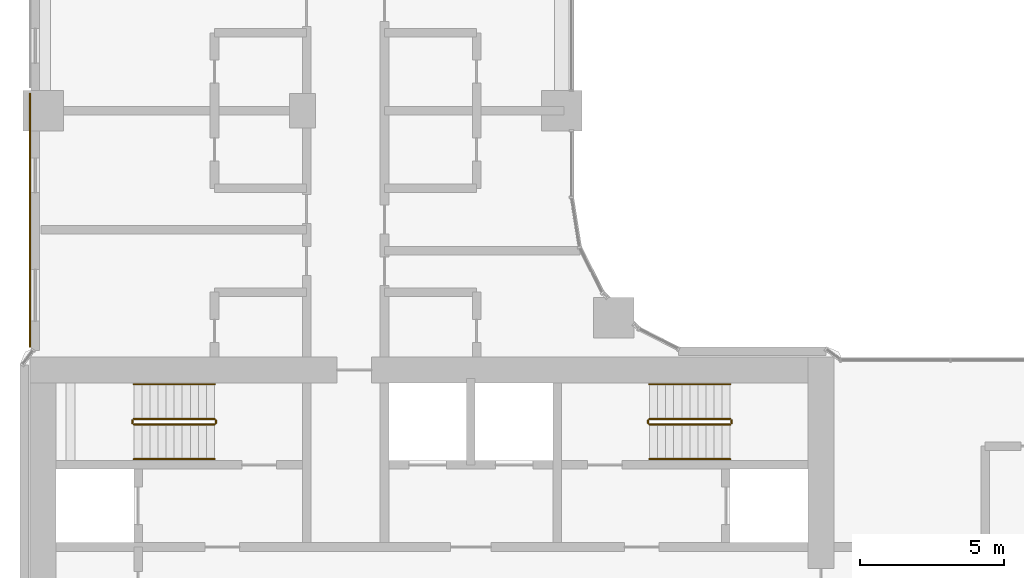
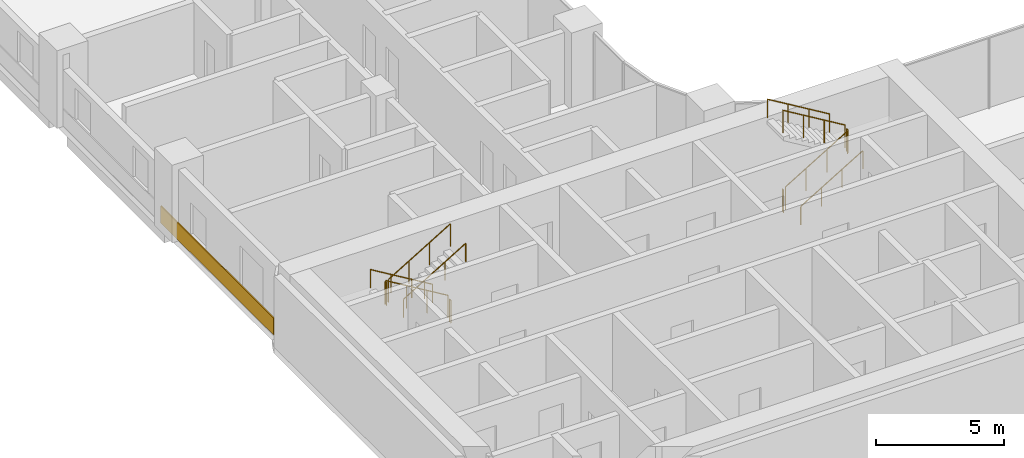
# One storey, part 27 of 31: 12 railings, 1 covering.
"""IFC4 building model written with IfcOpenShell, lengths in metres."""

import ifcopenshell
import ifcopenshell.guid

model = None  # the IFC model being written
_history = None  # IfcOwnerHistory: only IFC2X3 demands one
_inside = {}  # id of a spatial element -> (the spatial element, [elements in it])
_under = {}  # id of a project, library or spatial element -> (it, [spatial elements below it])
_declared = {}  # id of a project -> (the project, [libraries it declares])
_typed = {}  # id of a type object -> (the type object, [elements of that type])
_made_of = {}  # id of a material, layer set ... -> (it, [elements and type objects made of it])


def new_model(schema):
    """Start an empty IFC model of exactly this schema.

    Asked for "IFC4X3", IfcOpenShell would pick the latest addendum, in which some entities
    have other attributes; the version numbers below select the first issue.
    IFC2X3 requires an IfcOwnerHistory on every rooted entity: one is made here for all.
    """
    global model, _history
    if schema == "IFC4X3":
        model = ifcopenshell.file(schema_version=(4, 3, 0, 0))
    else:
        model = ifcopenshell.file(schema=schema)
    _inside.clear()
    _under.clear()
    _declared.clear()
    _typed.clear()
    _made_of.clear()
    _history = None
    if model.schema == "IFC2X3":
        org = make("IfcOrganization", Name="unknown")
        user = make(
            "IfcPersonAndOrganization",
            ThePerson=make("IfcPerson", FamilyName="unknown"),
            TheOrganization=org,
        )
        app = make(
            "IfcApplication",
            ApplicationDeveloper=org,
            Version="unknown",
            ApplicationFullName="unknown",
            ApplicationIdentifier="unknown",
        )
        _history = make(
            "IfcOwnerHistory",
            OwningUser=user,
            OwningApplication=app,
            ChangeAction="ADDED",
            CreationDate=0,
        )
    return model


def make(cls, **values):
    """One entity of the class cls with the attributes given. An attribute that is None is left unset."""
    return model.create_entity(
        cls, **{name: value for name, value in values.items() if value is not None}
    )


def rooted(cls, **values):
    """An entity with a GlobalId (a new one), such as an element, a storey or a relation."""
    return make(cls, GlobalId=ifcopenshell.guid.new(), OwnerHistory=_history, **values)


def si_unit(unit_type, name, prefix=None):
    """IfcSIUnit, for example si_unit("LENGTHUNIT", "METRE", prefix="MILLI")."""
    return make("IfcSIUnit", UnitType=unit_type, Prefix=prefix, Name=name)


def assignment(units):
    """IfcUnitAssignment: the units of a project."""
    return None if units is None else make("IfcUnitAssignment", Units=units)


def point(xyz):
    """IfcCartesianPoint."""
    return None if xyz is None else make("IfcCartesianPoint", Coordinates=xyz)


def direction(xyz):
    """IfcDirection."""
    return None if xyz is None else make("IfcDirection", DirectionRatios=xyz)


def frame(location, z_axis=None, x_axis=None):
    """IfcAxis2Placement3D, a coordinate frame: its origin and axes. An axis left out is left unset."""
    return make(
        "IfcAxis2Placement3D",
        Location=point(location),
        Axis=direction(z_axis),
        RefDirection=direction(x_axis),
    )


def frame_2d(location, x_axis=None):
    """IfcAxis2Placement2D, a coordinate frame in the plane: its origin and x axis."""
    return make(
        "IfcAxis2Placement2D", Location=point(location), RefDirection=direction(x_axis)
    )


def origin():
    """The frame at (0, 0, 0) with its axes left unset."""
    return frame((0.0, 0.0, 0.0))


def origin_2d():
    """The frame at (0, 0) in the plane with its x axis left unset."""
    return frame_2d((0.0, 0.0))


def place(relative_to, where):
    """IfcLocalPlacement: puts the frame where relative to a parent placement (None: the world)."""
    return make(
        "IfcLocalPlacement", PlacementRelTo=relative_to, RelativePlacement=where
    )


def context(
    kind, dimensions, precision=None, world=None, true_north=None, identifier=None
):
    """IfcGeometricRepresentationContext, for example the 3D "Model" context."""
    return make(
        "IfcGeometricRepresentationContext",
        ContextIdentifier=identifier,
        ContextType=kind,
        CoordinateSpaceDimension=dimensions,
        Precision=precision,
        WorldCoordinateSystem=world,
        TrueNorth=true_north,
    )


def subcontext(parent, identifier, kind, view, scale=None):
    """IfcGeometricRepresentationSubContext, for example "Body" below "Model"."""
    return make(
        "IfcGeometricRepresentationSubContext",
        ContextIdentifier=identifier,
        ContextType=kind,
        ParentContext=parent,
        TargetScale=scale,
        TargetView=view,
    )


def project(units=None, contexts=None):
    """IfcProject with its units and contexts."""
    return rooted(
        "IfcProject",
        Name="project",
        RepresentationContexts=contexts,
        UnitsInContext=assignment(units),
    )


def spatial(cls, under=None, at=None, **own):
    """A site, building, storey or space (cls), placed at a placement, below another one or the project."""
    s = rooted(cls, ObjectPlacement=at, **own)
    if under is not None:
        _under.setdefault(under.id(), (under, []))[1].append(s)
    return s


def profile(cls, at=None, kind="AREA", **sizes):
    """A parametric profile (cls). Its sizes go by their IFC names, for example OverallWidth=200.0."""
    return make(cls, ProfileType=kind, Position=at, **sizes)


def rectangle(**sizes):
    """IfcRectangleProfileDef."""
    return profile("IfcRectangleProfileDef", **sizes)


def circle(**sizes):
    """IfcCircleProfileDef."""
    return profile("IfcCircleProfileDef", **sizes)


def extrude(swept, where, along, depth):
    """IfcExtrudedAreaSolid: the profile swept, set in the frame where, extruded along a direction by depth."""
    return make(
        "IfcExtrudedAreaSolid",
        SweptArea=swept,
        Position=where,
        ExtrudedDirection=direction(along),
        Depth=depth,
    )


def shape(context_of_items, identifier, shape_type, items):
    """IfcShapeRepresentation: the items that make up one representation, for example the "Body"."""
    return make(
        "IfcShapeRepresentation",
        ContextOfItems=context_of_items,
        RepresentationIdentifier=identifier,
        RepresentationType=shape_type,
        Items=items,
    )


def material(Name=None, Category=None):
    """IfcMaterial."""
    return make("IfcMaterial", Name=Name, Category=Category)


def layer(
    of_material, thickness, ventilated=None, Name=None, Category=None, Priority=None
):
    """IfcMaterialLayer: one layer of a wall or slab, of a material (None: an air gap)."""
    return make(
        "IfcMaterialLayer",
        Material=of_material,
        LayerThickness=thickness,
        IsVentilated=ventilated,
        Name=Name,
        Category=Category,
        Priority=Priority,
    )


def layer_set(layers, Name=None):
    """IfcMaterialLayerSet."""
    return make("IfcMaterialLayerSet", MaterialLayers=layers, LayerSetName=Name)


def made_of(thing, what):
    """Note that an element or type object is made of a material, layer set ...; save() writes the relation."""
    if what is not None:
        _made_of.setdefault(what.id(), (what, []))[1].append(thing)
    return thing


def type_object(cls, material=None, **own):
    """A type object (cls), such as IfcWallType, which elements share."""
    return made_of(rooted(cls, **own), material)


def element(
    cls,
    number,
    at=None,
    inside=None,
    cuts=None,
    type_object=None,
    material=None,
    context=None,
    identifier="Body",
    shape_type=None,
    held_by="IfcProductDefinitionShape",
    body=None,
    shapes=None,
    **own,
):
    """One element of the class cls, such as IfcWall. Its Tag is "e" and its number.

    at: its placement. inside: the storey or other place that contains it. cuts: it is an
    opening in that element (IfcRelVoidsElement). A single representation is given by context,
    identifier, shape_type and body (its items); several are given by shapes. held_by: the class
    of the entity that holds the representations. save() writes the other relations.
    """
    e = rooted(cls, Tag="e%d" % number, ObjectPlacement=at, **own)
    if body is not None:
        shapes = [shape(context, identifier, shape_type, body)]
    if shapes is not None:
        e.Representation = make(held_by, Representations=shapes)
    if inside is not None:
        _inside.setdefault(inside.id(), (inside, []))[1].append(e)
    if cuts is not None:
        rooted(
            "IfcRelVoidsElement", RelatingBuildingElement=cuts, RelatedOpeningElement=e
        )
    if type_object is not None:
        _typed.setdefault(type_object.id(), (type_object, []))[1].append(e)
    return made_of(e, material)


def aggregate(whole, parts):
    """IfcRelAggregates: a whole, such as a stair, and the parts it consists of."""
    return rooted("IfcRelAggregates", RelatingObject=whole, RelatedObjects=parts)


def save(model, path):
    """Write the relations noted so far, then the file.

    IfcRelAggregates (storeys below a building ...), IfcRelContainedInSpatialStructure (elements
    in a storey), IfcRelDefinesByType, IfcRelAssociatesMaterial and IfcRelDeclares: one each for
    every whole, place, type object, material and project.
    """
    for whole, parts in _under.values():
        aggregate(whole, parts)
    for where, things in _inside.values():
        rooted(
            "IfcRelContainedInSpatialStructure",
            RelatedElements=things,
            RelatingStructure=where,
        )
    for kind, things in _typed.values():
        rooted("IfcRelDefinesByType", RelatedObjects=things, RelatingType=kind)
    for what, things in _made_of.values():
        rooted("IfcRelAssociatesMaterial", RelatedObjects=things, RelatingMaterial=what)
    for by, libraries in _declared.values():
        rooted("IfcRelDeclares", RelatingContext=by, RelatedDefinitions=libraries)
    model.write(path)


model = new_model("IFC4")

# Units and contexts
model_context = context("Model", 3, precision=1e-05, world=origin(), true_north=direction((0.0, 1.0)))
body_context = subcontext(model_context, "Body", "Model", "MODEL_VIEW")
ifc_project = project(units=[si_unit("LENGTHUNIT", "METRE"), si_unit("AREAUNIT", "SQUARE_METRE"), si_unit("VOLUMEUNIT", "CUBIC_METRE"), si_unit("PLANEANGLEUNIT", "RADIAN"), si_unit("MASSUNIT", "GRAM", prefix="KILO")], contexts=[model_context])

# Site, building, storey
site_placement = place(None, origin())
site = spatial("IfcSite", under=ifc_project, at=site_placement, CompositionType="ELEMENT")
building_placement = place(site_placement, origin())
building = spatial("IfcBuilding", under=site, at=building_placement, Name="Ogive Portal Towers", CompositionType="ELEMENT")
storey_placement = place(building_placement, frame((0.0, 0.0, 40.89990234375)))
storey = spatial("IfcBuildingStorey", under=building, at=storey_placement, Name="L08", CompositionType="ELEMENT", Elevation=40.89990234375)

# Railings
ifc_material_1 = material(Name="Stainless steel balustrade", Category="steel")
railing_type_1 = type_object("IfcRailingType", Name="INT-GUARD", PredefinedType="GUARDRAIL", material=ifc_material_1)
railing_1_placement = place(storey_placement, frame((37.449951171875, 37.800048828125, 0.168212890625)))
element("IfcRailing", 1, at=railing_1_placement, inside=storey, type_object=railing_type_1, Name="L08 ST-A1 stair guard 1", PredefinedType="GUARDRAIL", context=body_context, shape_type="SweptSolid", body=[
    extrude(circle(Radius=0.02392578125, at=origin_2d()), frame((0.0, 0.0, 1.076171875), z_axis=(-0.857242210791, 0.0, 0.514913383045), x_axis=(0.0, -1.0, 0.0)), (0.0, 0.0, 1.0), 3.266357421875),
    extrude(circle(Radius=0.02099609375, at=origin_2d()), origin(), (0.0, 0.0, 1.0), 1.052001953125),
    extrude(circle(Radius=0.02099609375, at=origin_2d()), frame((-0.933349609375, 0.0, 0.560546875)), (0.0, 0.0, 1.0), 1.052001953125),
    extrude(circle(Radius=0.02099609375, at=origin_2d()), frame((-1.86669921875, 0.0, 1.121337890625)), (0.0, 0.0, 1.0), 1.052001953125),
    extrude(circle(Radius=0.02099609375, at=origin_2d()), frame((-2.800048828125, 0.0, 1.681884765625)), (0.0, 0.0, 1.0), 1.052001953125),
])
railing_2_placement = place(storey_placement, frame((34.60009765625, 37.75, 1.85009765625)))
element("IfcRailing", 2, at=railing_2_placement, inside=storey, type_object=railing_type_1, Name="L08 ST-A1 stair guard 2", PredefinedType="GUARDRAIL", context=body_context, shape_type="SweptSolid", body=[
    extrude(circle(Radius=0.02392578125, at=origin_2d()), frame((0.0, 0.0, 1.076171875), z_axis=(0.0, -1.0, 0.0), x_axis=(1.0, 0.0, 0.0)), (0.0, 0.0, 1.0), 0.10009765625),
    extrude(circle(Radius=0.02099609375, at=origin_2d()), origin(), (0.0, 0.0, 1.0), 1.052001953125),
    extrude(circle(Radius=0.02099609375, at=origin_2d()), frame((0.0, -0.10009765625, 0.0)), (0.0, 0.0, 1.0), 1.052001953125),
])
railing_3_placement = place(storey_placement, frame((34.64990234375, 37.60009765625, 2.018310546875)))
element("IfcRailing", 3, at=railing_3_placement, inside=storey, type_object=railing_type_1, Name="L08 ST-A1 stair guard 3", PredefinedType="GUARDRAIL", context=body_context, shape_type="SweptSolid", body=[
    extrude(circle(Radius=0.02392578125, at=origin_2d()), frame((0.0, 0.0, 1.076171875), z_axis=(0.857242210791, 0.0, 0.514913383045), x_axis=(0.0, 1.0, 0.0)), (0.0, 0.0, 1.0), 3.266357421875),
    extrude(circle(Radius=0.02099609375, at=origin_2d()), origin(), (0.0, 0.0, 1.0), 1.052001953125),
    extrude(circle(Radius=0.02099609375, at=origin_2d()), frame((0.933349609375, 0.0, 0.560546875)), (0.0, 0.0, 1.0), 1.052001953125),
    extrude(circle(Radius=0.02099609375, at=origin_2d()), frame((1.86669921875, 0.0, 1.121337890625)), (0.0, 0.0, 1.0), 1.052001953125),
    extrude(circle(Radius=0.02099609375, at=origin_2d()), frame((2.800048828125, 0.0, 1.681884765625)), (0.0, 0.0, 1.0), 1.052001953125),
])
railing_4_placement = place(storey_placement, frame((37.5, 37.75, 0.0)))
element("IfcRailing", 4, at=railing_4_placement, inside=storey, type_object=railing_type_1, Name="L08 ST-A1 stair guard 4", PredefinedType="GUARDRAIL", context=body_context, shape_type="SweptSolid", body=[
    extrude(circle(Radius=0.02392578125, at=origin_2d()), frame((0.0, 0.0, 1.076171875), z_axis=(0.0, -1.0, 0.0), x_axis=(1.0, 0.0, 0.0)), (0.0, 0.0, 1.0), 0.10009765625),
    extrude(circle(Radius=0.02099609375, at=origin_2d()), origin(), (0.0, 0.0, 1.0), 1.052001953125),
    extrude(circle(Radius=0.02099609375, at=origin_2d()), frame((0.0, -0.10009765625, 0.0)), (0.0, 0.0, 1.0), 1.052001953125),
])
railing_5_placement = place(storey_placement, frame((52.550048828125, 37.60009765625, 0.168212890625)))
element("IfcRailing", 5, at=railing_5_placement, inside=storey, type_object=railing_type_1, Name="L08 ST-A2 stair guard 1", PredefinedType="GUARDRAIL", context=body_context, shape_type="SweptSolid", body=[
    extrude(circle(Radius=0.02392578125, at=origin_2d()), frame((0.0, 0.0, 1.076171875), z_axis=(0.857242210791, 0.0, 0.514913383045), x_axis=(0.0, 1.0, 0.0)), (0.0, 0.0, 1.0), 3.266357421875),
    extrude(circle(Radius=0.02099609375, at=origin_2d()), origin(), (0.0, 0.0, 1.0), 1.052001953125),
    extrude(circle(Radius=0.02099609375, at=origin_2d()), frame((0.933349609375, 0.0, 0.560546875)), (0.0, 0.0, 1.0), 1.052001953125),
    extrude(circle(Radius=0.02099609375, at=origin_2d()), frame((1.86669921875, 0.0, 1.121337890625)), (0.0, 0.0, 1.0), 1.052001953125),
    extrude(circle(Radius=0.02099609375, at=origin_2d()), frame((2.800048828125, 0.0, 1.681884765625)), (0.0, 0.0, 1.0), 1.052001953125),
])
railing_6_placement = place(storey_placement, frame((55.39990234375, 37.64990234375, 1.85009765625)))
element("IfcRailing", 6, at=railing_6_placement, inside=storey, type_object=railing_type_1, Name="L08 ST-A2 stair guard 2", PredefinedType="GUARDRAIL", context=body_context, shape_type="SweptSolid", body=[
    extrude(circle(Radius=0.02392578125, at=origin_2d()), frame((0.0, 0.0, 1.076171875), z_axis=(0.0, 1.0, 0.0), x_axis=(-1.0, 0.0, 0.0)), (0.0, 0.0, 1.0), 0.10009765625),
    extrude(circle(Radius=0.02099609375, at=origin_2d()), origin(), (0.0, 0.0, 1.0), 1.052001953125),
    extrude(circle(Radius=0.02099609375, at=origin_2d()), frame((0.0, 0.10009765625, 0.0)), (0.0, 0.0, 1.0), 1.052001953125),
])
railing_7_placement = place(storey_placement, frame((55.35009765625, 37.800048828125, 2.018310546875)))
element("IfcRailing", 7, at=railing_7_placement, inside=storey, type_object=railing_type_1, Name="L08 ST-A2 stair guard 3", PredefinedType="GUARDRAIL", context=body_context, shape_type="SweptSolid", body=[
    extrude(circle(Radius=0.02392578125, at=origin_2d()), frame((0.0, 0.0, 1.076171875), z_axis=(-0.857242210791, 0.0, 0.514913383045), x_axis=(0.0, -1.0, 0.0)), (0.0, 0.0, 1.0), 3.266357421875),
    extrude(circle(Radius=0.02099609375, at=origin_2d()), origin(), (0.0, 0.0, 1.0), 1.052001953125),
    extrude(circle(Radius=0.02099609375, at=origin_2d()), frame((-0.933349609375, 0.0, 0.560546875)), (0.0, 0.0, 1.0), 1.052001953125),
    extrude(circle(Radius=0.02099609375, at=origin_2d()), frame((-1.86669921875, 0.0, 1.121337890625)), (0.0, 0.0, 1.0), 1.052001953125),
    extrude(circle(Radius=0.02099609375, at=origin_2d()), frame((-2.800048828125, 0.0, 1.681884765625)), (0.0, 0.0, 1.0), 1.052001953125),
])
railing_8_placement = place(storey_placement, frame((52.5, 37.64990234375, 0.0)))
element("IfcRailing", 8, at=railing_8_placement, inside=storey, type_object=railing_type_1, Name="L08 ST-A2 stair guard 4", PredefinedType="GUARDRAIL", context=body_context, shape_type="SweptSolid", body=[
    extrude(circle(Radius=0.02392578125, at=origin_2d()), frame((0.0, 0.0, 1.076171875), z_axis=(0.0, 1.0, 0.0), x_axis=(-1.0, 0.0, 0.0)), (0.0, 0.0, 1.0), 0.10009765625),
    extrude(circle(Radius=0.02099609375, at=origin_2d()), origin(), (0.0, 0.0, 1.0), 1.052001953125),
    extrude(circle(Radius=0.02099609375, at=origin_2d()), frame((0.0, 0.10009765625, 0.0)), (0.0, 0.0, 1.0), 1.052001953125),
])
ifc_material_2 = material(Name="Stainless steel handrail", Category="steel")
railing_type_2 = type_object("IfcRailingType", Name="INT-HANDRAIL", PredefinedType="HANDRAIL", material=ifc_material_2)
railing_9_placement = place(storey_placement, frame((37.449951171875, 39.0, 0.168212890625)))
element("IfcRailing", 9, at=railing_9_placement, inside=storey, type_object=railing_type_2, Name="L08 ST-A1 stair handrail 1", PredefinedType="HANDRAIL", context=body_context, shape_type="SweptSolid", body=[
    extrude(circle(Radius=0.02392578125, at=origin_2d()), frame((0.0, 0.0, 0.8759765625), z_axis=(-0.857242210791, 0.0, 0.514913383045), x_axis=(0.0, -1.0, 0.0)), (0.0, 0.0, 1.0), 3.266357421875),
    extrude(circle(Radius=0.02099609375, at=origin_2d()), origin(), (0.0, 0.0, 1.0), 0.851806640625),
    extrude(circle(Radius=0.02099609375, at=origin_2d()), frame((-0.933349609375, 0.0, 0.560546875)), (0.0, 0.0, 1.0), 0.851806640625),
    extrude(circle(Radius=0.02099609375, at=origin_2d()), frame((-1.86669921875, 0.0, 1.121337890625)), (0.0, 0.0, 1.0), 0.851806640625),
    extrude(circle(Radius=0.02099609375, at=origin_2d()), frame((-2.800048828125, 0.0, 1.681884765625)), (0.0, 0.0, 1.0), 0.851806640625),
])
for number, where, name in (
    (10, (34.64990234375, 36.39990234375, 2.018310546875), "L08 ST-A1 stair handrail 2"),
    (11, (52.550048828125, 36.39990234375, 0.168212890625), "L08 ST-A2 stair handrail 1"),
):
    element("IfcRailing", number, at=place(storey_placement, frame(where)), inside=storey, type_object=railing_type_2, Name=name, PredefinedType="HANDRAIL", context=body_context, shape_type="SweptSolid", body=[
        extrude(circle(Radius=0.02392578125, at=origin_2d()), frame((0.0, 0.0, 0.8759765625), z_axis=(0.857242210791, 0.0, 0.514913383045), x_axis=(0.0, 1.0, 0.0)), (0.0, 0.0, 1.0), 3.266357421875),
        extrude(circle(Radius=0.02099609375, at=origin_2d()), origin(), (0.0, 0.0, 1.0), 0.851806640625),
        extrude(circle(Radius=0.02099609375, at=origin_2d()), frame((0.933349609375, 0.0, 0.560546875)), (0.0, 0.0, 1.0), 0.851806640625),
        extrude(circle(Radius=0.02099609375, at=origin_2d()), frame((1.86669921875, 0.0, 1.121337890625)), (0.0, 0.0, 1.0), 0.851806640625),
        extrude(circle(Radius=0.02099609375, at=origin_2d()), frame((2.800048828125, 0.0, 1.681884765625)), (0.0, 0.0, 1.0), 0.851806640625),
    ])
railing_10_placement = place(storey_placement, frame((55.35009765625, 39.0, 2.018310546875)))
element("IfcRailing", 12, at=railing_10_placement, inside=storey, type_object=railing_type_2, Name="L08 ST-A2 stair handrail 2", PredefinedType="HANDRAIL", context=body_context, shape_type="SweptSolid", body=[
    extrude(circle(Radius=0.02392578125, at=origin_2d()), frame((0.0, 0.0, 0.8759765625), z_axis=(-0.857242210791, 0.0, 0.514913383045), x_axis=(0.0, -1.0, 0.0)), (0.0, 0.0, 1.0), 3.266357421875),
    extrude(circle(Radius=0.02099609375, at=origin_2d()), origin(), (0.0, 0.0, 1.0), 0.851806640625),
    extrude(circle(Radius=0.02099609375, at=origin_2d()), frame((-0.933349609375, 0.0, 0.560546875)), (0.0, 0.0, 1.0), 0.851806640625),
    extrude(circle(Radius=0.02099609375, at=origin_2d()), frame((-1.86669921875, 0.0, 1.121337890625)), (0.0, 0.0, 1.0), 0.851806640625),
    extrude(circle(Radius=0.02099609375, at=origin_2d()), frame((-2.800048828125, 0.0, 1.681884765625)), (0.0, 0.0, 1.0), 0.851806640625),
])

# Covering
ifc_material_3 = material(Name="Limestone cladding on lightweight block wall", Category="masonry")
ifc_layer = layer(ifc_material_3, 0.050048828125)
ifc_layer_set = layer_set([ifc_layer], Name="SCREEN PERFORATED STONE")
covering_type = type_object("IfcCoveringType", Name="SCREEN PERFORATED STONE", PredefinedType="CLADDING", material=ifc_layer_set)
covering_placement = place(storey_placement, frame((31.050048828125, 44.690185546875, 0.10009765625), z_axis=(0.0, 0.0, 1.0), x_axis=(0.0, -1.0, 0.0)))
element("IfcCovering", 13, at=covering_placement, inside=storey, type_object=covering_type, Name="Tracery screen", PredefinedType="CLADDING", context=body_context, shape_type="SweptSolid", body=[
    extrude(rectangle(XDim=8.819580078125, YDim=0.050048828125, at=origin_2d()), origin(), (0.0, 0.0, 1.0), 0.800048828125),
])

save(model, "model.ifc")
